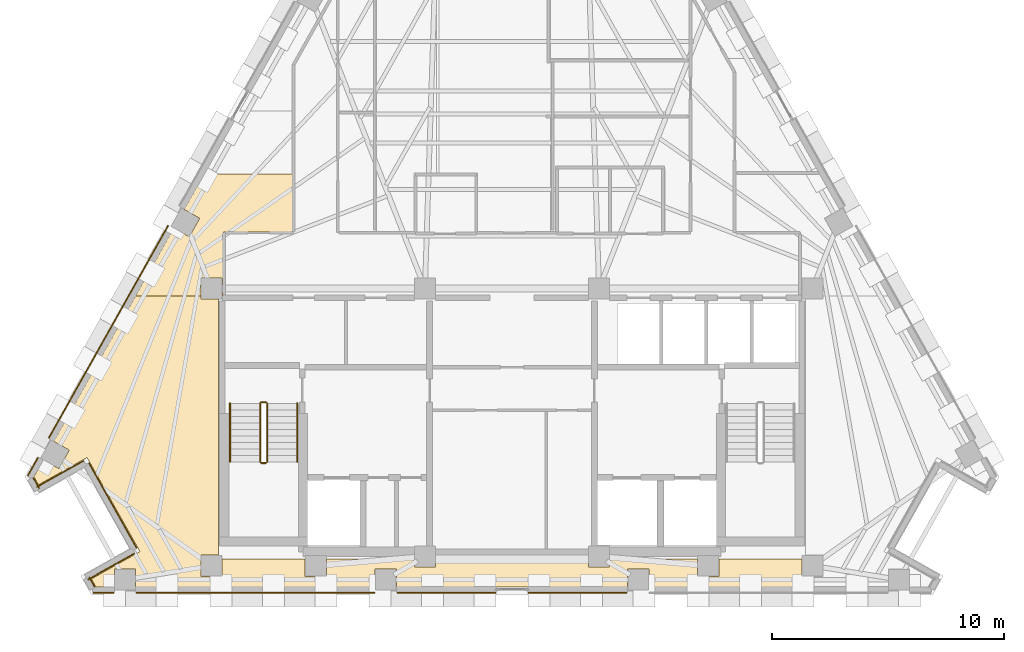
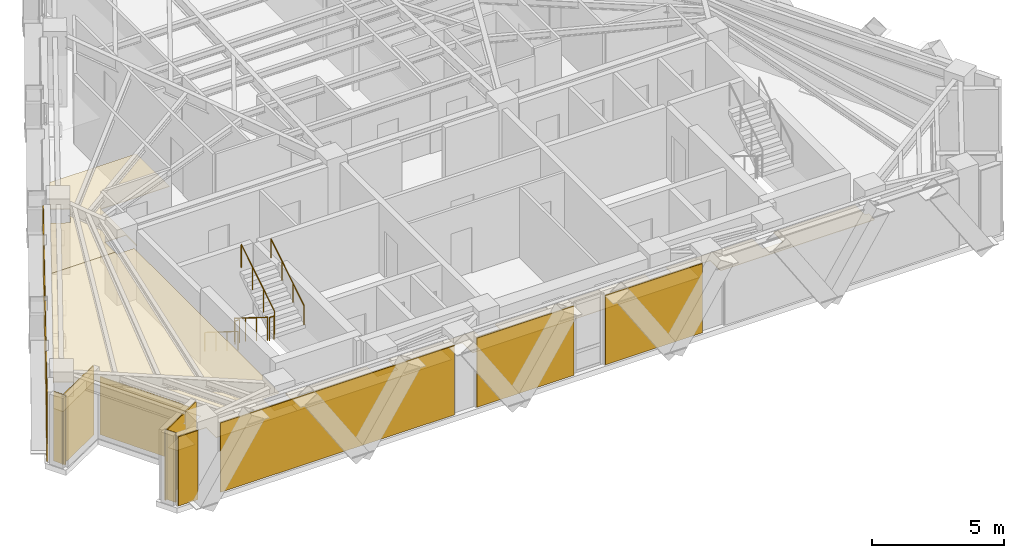
# One storey, part 10 of 12: 14 coverings, 6 railings.
"""IFC4 building model written with IfcOpenShell, lengths in metres."""

from ifc_helpers import new_model, si_unit, direction, frame, origin, origin_2d, place, context, subcontext, project, spatial, polyline, circle, outline, extrude, material, layer, layer_set, type_object, element, save


model = new_model("IFC4")

# Units and contexts
model_context = context("Model", 3, precision=1e-05, world=origin(), true_north=direction((0.0, 1.0)))
body_context = subcontext(model_context, "Body", "Model", "MODEL_VIEW")
ifc_project = project(units=[si_unit("LENGTHUNIT", "METRE"), si_unit("AREAUNIT", "SQUARE_METRE"), si_unit("VOLUMEUNIT", "CUBIC_METRE"), si_unit("PLANEANGLEUNIT", "RADIAN"), si_unit("MASSUNIT", "GRAM", prefix="KILO")], contexts=[model_context])

# Site, building, storey
site_placement = place(None, origin())
site = spatial("IfcSite", under=ifc_project, at=site_placement, CompositionType="ELEMENT")
building_placement = place(site_placement, origin())
building = spatial("IfcBuilding", under=site, at=building_placement, Name="Quenlor Broadcast Tower", CompositionType="ELEMENT")
storey_placement = place(building_placement, frame((0.0, 0.0, 211.39990234375)))
storey = spatial("IfcBuildingStorey", under=building, at=storey_placement, Name="L58", CompositionType="ELEMENT", Elevation=211.39990234375)

# Coverings
ifc_material_1 = material(Name="Acoustic Mineral Fibre Board", Category="other")
ifc_layer_1 = layer(ifc_material_1, 0.02490234375)
ifc_layer_set_1 = layer_set([ifc_layer_1], Name="Acoustic Perforated Mineral Tile Ceiling 25")
covering_type_1 = type_object("IfcCoveringType", Name="Acoustic Perforated Mineral Tile Ceiling 25", PredefinedType="CEILING", material=ifc_layer_set_1)
covering_1_placement = place(storey_placement, frame((0.0, 0.0, 2.375)))
element("IfcCovering", 1, at=covering_1_placement, inside=storey, type_object=covering_type_1, Name="L58 Acoustic Ceiling L58-31", PredefinedType="CEILING", context=body_context, shape_type="SweptSolid", body=[
    extrude(outline(polyline([(-14.572021484375, -2.199462890625), (-13.90283203125, -2.575927734375), (-13.45361328125, -1.777587890625), (-14.123046875, -1.401123046875), (-13.262451171875, 0.128662109375), (-9.43994140625, 0.128662109375), (-9.43994140625, -2.3701171875), (-12.43994140625, -2.3701171875), (-12.43994140625, -5.1201171875), (-12.491943359375, -5.1201171875), (-12.491943359375, -4.342041015625), (-13.407958984375, -4.342041015625), (-13.407958984375, -5.1201171875), (-16.21484375, -5.1201171875), (-14.572021484375, -2.199462890625)])), origin(), (0.0, 0.0, 1.0), 0.025146484375),
])
covering_2_placement = place(storey_placement, frame((0.0, 0.0, 2.375)))
element("IfcCovering", 2, at=covering_2_placement, inside=storey, type_object=covering_type_1, Name="L58 Acoustic Ceiling L58-31-3", PredefinedType="CEILING", context=body_context, shape_type="SweptSolid", body=[
    extrude(outline(polyline([(-20.597900390625, -12.912109375), (-20.191162109375, -12.18896484375), (-19.52197265625, -12.5654296875), (-19.07275390625, -11.76708984375), (-19.7421875, -11.390625), (-16.21484375, -5.1201171875), (-13.407958984375, -5.1201171875), (-13.407958984375, -5.258056640625), (-12.64990234375, -5.258056640625), (-12.64990234375, -16.2919921875), (-13.407958984375, -16.2919921875), (-13.407958984375, -17.2080078125), (-12.64990234375, -17.2080078125), (-12.64990234375, -17.659912109375), (-16.218017578125, -17.659912109375), (-16.218017578125, -16.89208984375), (-17.1337890625, -16.89208984375), (-17.1337890625, -17.659912109375), (-17.927001953125, -17.659912109375), (-18.120849609375, -17.315673828125), (-16.029052734375, -16.138916015625), (-18.30859375, -12.08642578125), (-20.400390625, -13.26318359375), (-20.597900390625, -12.912109375)])), origin(), (0.0, 0.0, 1.0), 0.025146484375),
])
covering_3_placement = place(storey_placement, frame((0.0, 0.0, 2.375)))
element("IfcCovering", 3, at=covering_3_placement, inside=storey, type_object=covering_type_1, Name="L58 Acoustic Ceiling L58-31-5", PredefinedType="CEILING", context=body_context, shape_type="SweptSolid", body=[
    extrude(outline(polyline([(-12.491943359375, -17.2080078125), (-12.491943359375, -16.449951171875), (-8.907958984375, -16.449951171875), (-8.907958984375, -17.2080078125), (-7.991943359375, -17.2080078125), (-7.991943359375, -16.449951171875), (-4.2080078125, -16.449951171875), (-4.2080078125, -16.80810546875), (-3.2919921875, -16.80810546875), (-3.2919921875, -16.449951171875), (3.2919921875, -16.449951171875), (3.2919921875, -16.80810546875), (4.2080078125, -16.80810546875), (4.2080078125, -16.449951171875), (7.991943359375, -16.449951171875), (7.991943359375, -17.2080078125), (8.907958984375, -17.2080078125), (8.907958984375, -16.449951171875), (12.491943359375, -16.449951171875), (12.491943359375, -17.2080078125), (12.64990234375, -17.2080078125), (12.64990234375, -17.659912109375), (5.895751953125, -17.659912109375), (5.895751953125, -16.89208984375), (4.979736328125, -16.89208984375), (4.979736328125, -17.659912109375), (-4.979736328125, -17.659912109375), (-4.979736328125, -16.89208984375), (-5.895751953125, -16.89208984375), (-5.895751953125, -17.659912109375), (-12.64990234375, -17.659912109375), (-12.64990234375, -17.2080078125), (-12.491943359375, -17.2080078125)])), origin(), (0.0, 0.0, 1.0), 0.025146484375),
])
ifc_material_2 = material(Name="Architectural Terracotta Ceramic", Category="masonry")
ifc_layer_2 = layer(ifc_material_2, 0.044921875)
ifc_layer_set_2 = layer_set([ifc_layer_2], Name="Fluted Terracotta Rainscreen Cladding Panel")
covering_type_2 = type_object("IfcCoveringType", Name="Fluted Terracotta Rainscreen Cladding Panel", PredefinedType="CLADDING", material=ifc_layer_set_2)
covering_4_placement = place(storey_placement, frame((0.0, 0.0, 0.02001953125)))
element("IfcCovering", 4, at=covering_4_placement, inside=storey, type_object=covering_type_2, Name="L58 Terracotta Rainscreen Cladding L58-SHD-SS1", PredefinedType="CLADDING", context=body_context, shape_type="SweptSolid", body=[
    extrude(outline(polyline([(-17.160888671875, -17.886962890625), (-18.035888671875, -17.886962890625), (-18.035888671875, -17.931884765625), (-17.160888671875, -17.931884765625), (-17.160888671875, -17.886962890625)])), origin(), (0.0, 0.0, 1.0), 3.2099609375),
])
covering_5_placement = place(storey_placement, frame((0.0, 0.0, 0.02001953125)))
element("IfcCovering", 5, at=covering_5_placement, inside=storey, type_object=covering_type_2, Name="L58 Terracotta Rainscreen Cladding L58-EW-SC", PredefinedType="CLADDING", context=body_context, shape_type="SweptSolid", body=[
    extrude(outline(polyline([(-5.9228515625, -17.89697265625), (-16.19091796875, -17.89697265625), (-16.19091796875, -17.94189453125), (-5.9228515625, -17.94189453125), (-5.9228515625, -17.89697265625)])), origin(), (0.0, 0.0, 1.0), 3.2099609375),
])
covering_6_placement = place(storey_placement, frame((0.0, 0.0, 0.02001953125)))
element("IfcCovering", 6, at=covering_6_placement, inside=storey, type_object=covering_type_2, Name="L58 Terracotta Rainscreen Cladding L58-S-SP1", PredefinedType="CLADDING", context=body_context, shape_type="SweptSolid", body=[
    extrude(outline(polyline([(4.937744140625, -17.89697265625), (0.6923828125, -17.89697265625), (0.6923828125, -17.94189453125), (4.937744140625, -17.94189453125), (4.937744140625, -17.89697265625)])), origin(), (0.0, 0.0, 1.0), 3.2099609375),
])
covering_7_placement = place(storey_placement, frame((0.0, 0.0, 0.02001953125)))
element("IfcCovering", 7, at=covering_7_placement, inside=storey, type_object=covering_type_2, Name="L58 Terracotta Rainscreen Cladding L58-S-SP2", PredefinedType="CLADDING", context=body_context, shape_type="SweptSolid", body=[
    extrude(outline(polyline([(-0.6923828125, -17.89697265625), (-4.937744140625, -17.89697265625), (-4.937744140625, -17.94189453125), (-0.6923828125, -17.94189453125), (-0.6923828125, -17.89697265625)])), origin(), (0.0, 0.0, 1.0), 3.2099609375),
])
covering_8_placement = place(storey_placement, frame((0.0, 0.0, 0.02001953125)))
element("IfcCovering", 8, at=covering_8_placement, inside=storey, type_object=covering_type_2, Name="L58 Terracotta Rainscreen Cladding L58-SHD-NWS0", PredefinedType="CLADDING", context=body_context, shape_type="SweptSolid", body=[
    extrude(outline(polyline([(-20.845458984375, -12.888916015625), (-20.402099609375, -12.10107421875), (-20.44140625, -12.0791015625), (-20.884521484375, -12.866943359375), (-20.845458984375, -12.888916015625)])), origin(), (0.0, 0.0, 1.0), 3.2099609375),
])
covering_9_placement = place(storey_placement, frame((0.0, 0.0, 0.02001953125)))
element("IfcCovering", 9, at=covering_9_placement, inside=storey, type_object=covering_type_2, Name="L58 Terracotta Rainscreen Cladding L58-EW-NWA", PredefinedType="CLADDING", context=body_context, shape_type="SweptSolid", body=[
    extrude(outline(polyline([(-19.935302734375, -11.250732421875), (-14.7919921875, -2.106689453125), (-14.831298828125, -2.084716796875), (-19.974609375, -11.228759765625), (-19.935302734375, -11.250732421875)])), origin(), (0.0, 0.0, 1.0), 3.2099609375),
])
covering_10_placement = place(storey_placement, frame((0.0, 0.0, 0.02001953125)))
element("IfcCovering", 10, at=covering_10_placement, inside=storey, type_object=covering_type_2, Name="L58 Terracotta Rainscreen Cladding L58-CNR-12", PredefinedType="CLADDING", context=body_context, shape_type="SweptSolid", body=[
    extrude(outline(polyline([(-20.64306640625, -12.970458984375), (-20.38623046875, -13.427001953125), (-20.346923828125, -13.405029296875), (-20.60400390625, -12.948486328125), (-20.64306640625, -12.970458984375)])), origin(), (0.0, 0.0, 1.0), 3.2099609375),
])
covering_11_placement = place(storey_placement, frame((0.0, 0.0, 0.02001953125)))
element("IfcCovering", 11, at=covering_11_placement, inside=storey, type_object=covering_type_2, Name="L58 Terracotta Rainscreen Cladding L58-CNR-13", PredefinedType="CLADDING", context=body_context, shape_type="SweptSolid", body=[
    extrude(outline(polyline([(-20.462890625, -13.376220703125), (-18.45849609375, -12.248779296875), (-18.48046875, -12.20947265625), (-20.485107421875, -13.337158203125), (-20.462890625, -13.376220703125)])), origin(), (0.0, 0.0, 1.0), 3.2099609375),
])
covering_12_placement = place(storey_placement, frame((0.0, 0.0, 0.02001953125)))
element("IfcCovering", 12, at=covering_12_placement, inside=storey, type_object=covering_type_2, Name="L58 Terracotta Rainscreen Cladding L58-CNR-14", PredefinedType="CLADDING", context=body_context, shape_type="SweptSolid", body=[
    extrude(outline(polyline([(-18.245361328125, -12.337646484375), (-16.19140625, -15.9892578125), (-16.152099609375, -15.96728515625), (-18.206298828125, -12.315673828125), (-18.245361328125, -12.337646484375)])), origin(), (0.0, 0.0, 1.0), 2.681884765625),
])
covering_13_placement = place(storey_placement, frame((0.0, 0.0, 0.02001953125)))
element("IfcCovering", 13, at=covering_13_placement, inside=storey, type_object=covering_type_2, Name="L58 Terracotta Rainscreen Cladding L58-CNR-15", PredefinedType="CLADDING", context=body_context, shape_type="SweptSolid", body=[
    extrude(outline(polyline([(-16.2802734375, -16.2021484375), (-18.284912109375, -17.329833984375), (-18.262939453125, -17.368896484375), (-16.25830078125, -16.241455078125), (-16.2802734375, -16.2021484375)])), origin(), (0.0, 0.0, 1.0), 3.2099609375),
])
covering_14_placement = place(storey_placement, frame((0.0, 0.0, 0.02001953125)))
element("IfcCovering", 14, at=covering_14_placement, inside=storey, type_object=covering_type_2, Name="L58 Terracotta Rainscreen Cladding L58-CNR-16", PredefinedType="CLADDING", context=body_context, shape_type="SweptSolid", body=[
    extrude(outline(polyline([(-18.234130859375, -17.2529296875), (-17.99853515625, -17.671875), (-17.959228515625, -17.64990234375), (-18.19482421875, -17.23095703125), (-18.234130859375, -17.2529296875)])), origin(), (0.0, 0.0, 1.0), 3.2099609375),
])

# Railings
ifc_material_3 = material(Name="Anodised Aluminium", Category="aluminium")
railing_type_1 = type_object("IfcRailingType", Name="Stainless Aluminium Wall Handrail 900", PredefinedType="HANDRAIL", material=ifc_material_3)
railing_1_placement = place(storey_placement, frame((-12.14990234375, -9.75, 0.175048828125)))
element("IfcRailing", 15, at=railing_1_placement, inside=storey, type_object=railing_type_1, Name="L58 ST-1 stair handrail 1", PredefinedType="HANDRAIL", context=body_context, shape_type="SweptSolid", body=[
    extrude(circle(Radius=0.02392578125, at=origin_2d()), frame((0.0, 0.0, 0.8759765625), z_axis=(0.0, -0.848007534815, 0.529984170421), x_axis=(1.0, 0.0, 0.0)), (0.0, 0.0, 1.0), 2.9716796875),
    extrude(circle(Radius=0.02099609375, at=origin_2d()), origin(), (0.0, 0.0, 1.0), 0.851806640625),
    extrude(circle(Radius=0.02099609375, at=origin_2d()), frame((0.0, -0.840087890625, 0.52490234375)), (0.0, 0.0, 1.0), 0.851806640625),
    extrude(circle(Radius=0.02099609375, at=origin_2d()), frame((0.0, -1.679931640625, 1.050048828125)), (0.0, 0.0, 1.0), 0.851806640625),
    extrude(circle(Radius=0.02099609375, at=origin_2d()), frame((0.0, -2.52001953125, 1.574951171875)), (0.0, 0.0, 1.0), 0.851806640625),
])
railing_2_placement = place(storey_placement, frame((-9.25, -12.27001953125, 1.925048828125)))
element("IfcRailing", 16, at=railing_2_placement, inside=storey, type_object=railing_type_1, Name="L58 ST-1 stair handrail 2", PredefinedType="HANDRAIL", context=body_context, shape_type="SweptSolid", body=[
    extrude(circle(Radius=0.02392578125, at=origin_2d()), frame((0.0, 0.0, 0.8759765625), z_axis=(0.0, 0.848007534815, 0.529984170421), x_axis=(-1.0, 0.0, 0.0)), (0.0, 0.0, 1.0), 2.9716796875),
    extrude(circle(Radius=0.02099609375, at=origin_2d()), origin(), (0.0, 0.0, 1.0), 0.851806640625),
    extrude(circle(Radius=0.02099609375, at=origin_2d()), frame((0.0, 0.840087890625, 0.52490234375)), (0.0, 0.0, 1.0), 0.851806640625),
    extrude(circle(Radius=0.02099609375, at=origin_2d()), frame((0.0, 1.679931640625, 1.050048828125)), (0.0, 0.0, 1.0), 0.851806640625),
    extrude(circle(Radius=0.02099609375, at=origin_2d()), frame((0.0, 2.52001953125, 1.574951171875)), (0.0, 0.0, 1.0), 0.851806640625),
])
ifc_material_4 = material(Name="Steel S355", Category="steel")
railing_type_2 = type_object("IfcRailingType", Name="Tubular Steel S355 Stair Guardrail 1100", PredefinedType="BALUSTRADE", material=ifc_material_4)
railing_3_placement = place(storey_placement, frame((-10.85009765625, -9.75, 0.175048828125)))
element("IfcRailing", 17, at=railing_3_placement, inside=storey, type_object=railing_type_2, Name="L58 ST-1 stair guard 1", PredefinedType="BALUSTRADE", context=body_context, shape_type="SweptSolid", body=[
    extrude(circle(Radius=0.02392578125, at=origin_2d()), frame((0.0, 0.0, 1.076171875), z_axis=(0.0, -0.848007534815, 0.529984170421), x_axis=(1.0, 0.0, 0.0)), (0.0, 0.0, 1.0), 2.9716796875),
    extrude(circle(Radius=0.02099609375, at=origin_2d()), origin(), (0.0, 0.0, 1.0), 1.052001953125),
    extrude(circle(Radius=0.02099609375, at=origin_2d()), frame((0.0, -0.840087890625, 0.52490234375)), (0.0, 0.0, 1.0), 1.052001953125),
    extrude(circle(Radius=0.02099609375, at=origin_2d()), frame((0.0, -1.679931640625, 1.050048828125)), (0.0, 0.0, 1.0), 1.052001953125),
    extrude(circle(Radius=0.02099609375, at=origin_2d()), frame((0.0, -2.52001953125, 1.574951171875)), (0.0, 0.0, 1.0), 1.052001953125),
])
railing_4_placement = place(storey_placement, frame((-10.800048828125, -12.320068359375, 1.75)))
element("IfcRailing", 18, at=railing_4_placement, inside=storey, type_object=railing_type_2, Name="L58 ST-1 stair guard 2", PredefinedType="BALUSTRADE", context=body_context, shape_type="SweptSolid", body=[
    extrude(circle(Radius=0.02392578125, at=origin_2d()), frame((0.0, 0.0, 1.076171875), z_axis=(1.0, 0.0, 0.0), x_axis=(0.0, 1.0, 0.0)), (0.0, 0.0, 1.0), 0.199951171875),
    extrude(circle(Radius=0.02099609375, at=origin_2d()), origin(), (0.0, 0.0, 1.0), 1.052001953125),
    extrude(circle(Radius=0.02099609375, at=origin_2d()), frame((0.199951171875, 0.0, 0.0)), (0.0, 0.0, 1.0), 1.052001953125),
])
railing_5_placement = place(storey_placement, frame((-10.550048828125, -12.27001953125, 1.925048828125)))
element("IfcRailing", 19, at=railing_5_placement, inside=storey, type_object=railing_type_2, Name="L58 ST-1 stair guard 3", PredefinedType="BALUSTRADE", context=body_context, shape_type="SweptSolid", body=[
    extrude(circle(Radius=0.02392578125, at=origin_2d()), frame((0.0, 0.0, 1.076171875), z_axis=(0.0, 0.848007534815, 0.529984170421), x_axis=(-1.0, 0.0, 0.0)), (0.0, 0.0, 1.0), 2.9716796875),
    extrude(circle(Radius=0.02099609375, at=origin_2d()), origin(), (0.0, 0.0, 1.0), 1.052001953125),
    extrude(circle(Radius=0.02099609375, at=origin_2d()), frame((0.0, 0.840087890625, 0.52490234375)), (0.0, 0.0, 1.0), 1.052001953125),
    extrude(circle(Radius=0.02099609375, at=origin_2d()), frame((0.0, 1.679931640625, 1.050048828125)), (0.0, 0.0, 1.0), 1.052001953125),
    extrude(circle(Radius=0.02099609375, at=origin_2d()), frame((0.0, 2.52001953125, 1.574951171875)), (0.0, 0.0, 1.0), 1.052001953125),
])
railing_6_placement = place(storey_placement, frame((-10.800048828125, -9.699951171875, 0.0)))
element("IfcRailing", 20, at=railing_6_placement, inside=storey, type_object=railing_type_2, Name="L58 ST-1 stair guard 4", PredefinedType="BALUSTRADE", context=body_context, shape_type="SweptSolid", body=[
    extrude(circle(Radius=0.02392578125, at=origin_2d()), frame((0.0, 0.0, 1.076171875), z_axis=(1.0, 0.0, 0.0), x_axis=(0.0, 1.0, 0.0)), (0.0, 0.0, 1.0), 0.199951171875),
    extrude(circle(Radius=0.02099609375, at=origin_2d()), origin(), (0.0, 0.0, 1.0), 1.052001953125),
    extrude(circle(Radius=0.02099609375, at=origin_2d()), frame((0.199951171875, 0.0, 0.0)), (0.0, 0.0, 1.0), 1.052001953125),
])

save(model, "model.ifc")
